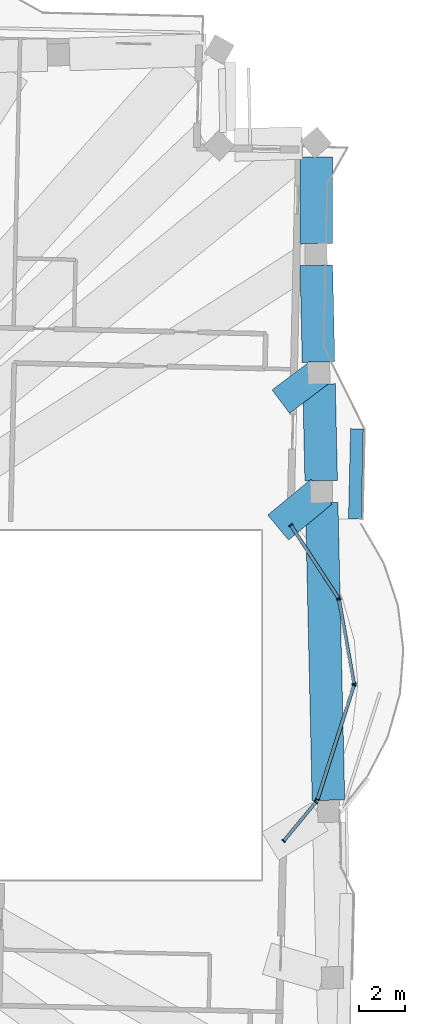
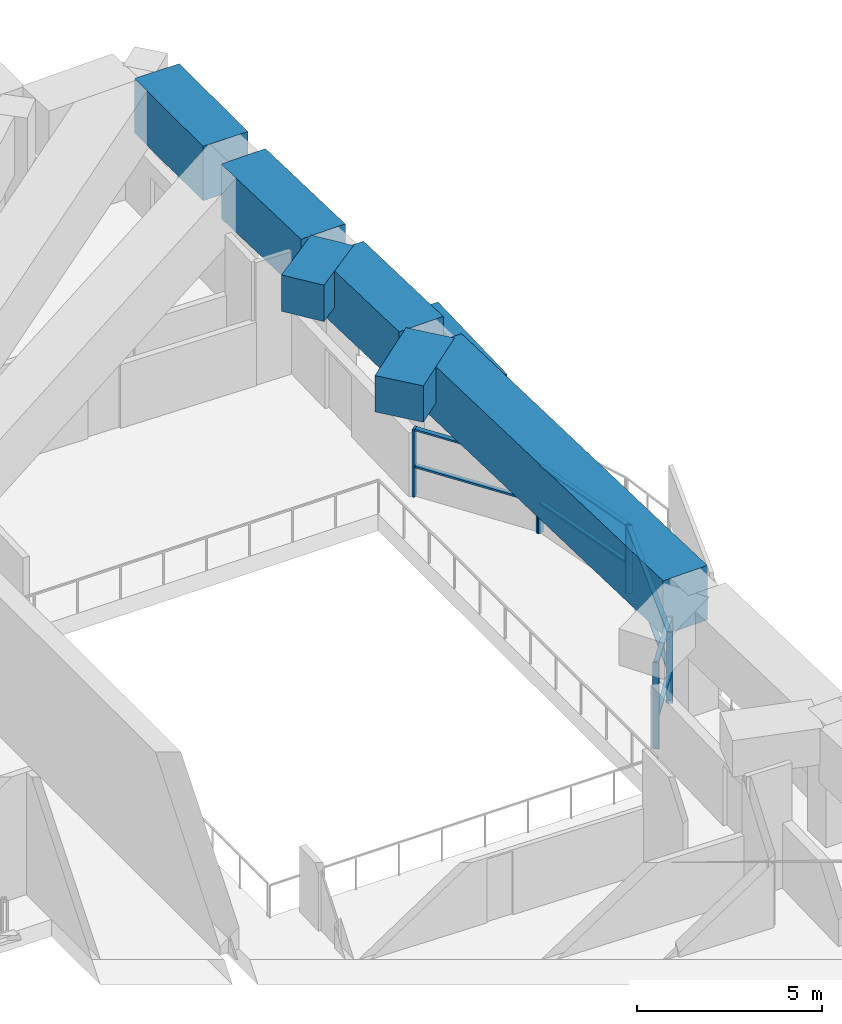
# One storey, part 6 of 20: 17 members, 6 beams, 4 elements without a shape of their own.
"""IFC4 building model written with IfcOpenShell, lengths in metres."""

from ifc_helpers import new_model, si_unit, direction, frame, origin, origin_2d, place, context, subcontext, project, spatial, rectangle, extrude, material, material_profile, profile_set, type_object, element, aggregate, save


model = new_model("IFC4")

# Units and contexts
model_context = context("Model", 3, precision=1e-05, world=origin(), true_north=direction((0.0, 1.0)))
body_context = subcontext(model_context, "Body", "Model", "MODEL_VIEW")
ifc_project = project(units=[si_unit("LENGTHUNIT", "METRE"), si_unit("AREAUNIT", "SQUARE_METRE"), si_unit("VOLUMEUNIT", "CUBIC_METRE"), si_unit("PLANEANGLEUNIT", "RADIAN"), si_unit("MASSUNIT", "GRAM", prefix="KILO")], contexts=[model_context])

# Site, building, storey
site_placement = place(None, origin())
site = spatial("IfcSite", under=ifc_project, at=site_placement, CompositionType="ELEMENT")
building_placement = place(site_placement, origin())
building = spatial("IfcBuilding", under=site, at=building_placement, Name="Mangrove Gate Tower", CompositionType="ELEMENT")
storey_placement = place(building_placement, frame((0.0, 0.0, 301.5)))
storey = spatial("IfcBuildingStorey", under=building, at=storey_placement, Name="L77", CompositionType="ELEMENT", Elevation=301.5)

# Member
ifc_material_1 = material(Name="Planting on aluminium trellis", Category="aluminium")
ifc_material_profile_1 = material_profile(ifc_material_1, rectangle(XDim=0.550048828125, YDim=2.0, at=origin_2d()))
ifc_profile_set_1 = profile_set([ifc_material_profile_1], Name="Planting on aluminium trellis")
member_type_1 = type_object("IfcMemberType", Name="Balcony greenery screen 550x2000", PredefinedType="USERDEFINED", material=ifc_profile_set_1)
member_1_placement = place(storey_placement, frame((31.968017578125, 8.014892578125, 1.800048828125), z_axis=(0.022681332769, 0.999742745482, 0.0), x_axis=(-0.999742745482, 0.022681332769, 0.0)))
element("IfcMember", 1, at=member_1_placement, inside=storey, type_object=member_type_1, Name="GREEN SCREEN L77 E1.1", ObjectType="PLANTING", PredefinedType="USERDEFINED", context=body_context, shape_type="SweptSolid", body=[
    extrude(rectangle(XDim=0.550048828125, YDim=2.0, at=origin_2d()), origin(), (0.0, 0.0, 1.0), 3.875),
])

# Curtain wall, members
ifc_material_2 = material(Name="Aluminium and glass curtain wall", Category="aluminium")
curtain_wall_type = type_object("IfcCurtainWallType", Name="Sky-lounge glazing wall", PredefinedType="NOTDEFINED", material=ifc_material_2)
curtain_wall_1_placement = place(storey_placement, origin())
curtain_wall_1 = element("IfcCurtainWall", 2, at=curtain_wall_1_placement, inside=storey, type_object=curtain_wall_type, Name="Sky-lounge glazing E1p1f1", PredefinedType="NOTDEFINED")
ifc_material_3 = material(Name="Aluminium alloy 6063-T6", Category="aluminium")
ifc_material_profile_2 = material_profile(ifc_material_3, rectangle(XDim=0.06005859375, YDim=0.179931640625, at=origin_2d()))
ifc_profile_set_2 = profile_set([ifc_material_profile_2], Name="Aluminium alloy 6063-T6")
member_type_2 = type_object("IfcMemberType", Name="Sky-lounge glazing mullion 60x180", PredefinedType="MULLION", material=ifc_profile_set_2)
member_2_placement = place(storey_placement, frame((28.90625, -5.8408203125, 0.0), z_axis=(0.0, 0.0, 1.0), x_axis=(0.638116272585, 0.769940012379, 0.0)))
member_2 = element("IfcMember", 3, at=member_2_placement, type_object=member_type_2, Name="CWK mullion 1", PredefinedType="MULLION", context=body_context, shape_type="SweptSolid", body=[
    extrude(rectangle(XDim=0.06005859375, YDim=0.179931640625, at=origin_2d()), origin(), (0.0, 0.0, 1.0), 2.85009765625),
])
member_3_placement = place(storey_placement, frame((30.2958984375, -4.1640625, 0.0), z_axis=(0.0, 0.0, 1.0), x_axis=(0.638116272585, 0.769940012379, 0.0)))
member_3 = element("IfcMember", 4, at=member_3_placement, type_object=member_type_2, Name="CWK mullion 2", PredefinedType="MULLION", context=body_context, shape_type="SweptSolid", body=[
    extrude(rectangle(XDim=0.06005859375, YDim=0.179931640625, at=origin_2d()), origin(), (0.0, 0.0, 1.0), 2.85009765625),
])

curtain_wall_2_placement = place(storey_placement, origin())
curtain_wall_2 = element("IfcCurtainWall", 5, at=curtain_wall_2_placement, inside=storey, type_object=curtain_wall_type, Name="Sky-lounge glazing E1p2f1", PredefinedType="NOTDEFINED")
member_4_placement = place(storey_placement, frame((30.36279296875, -4.061279296875, 0.0), z_axis=(0.0, 0.0, 1.0), x_axis=(0.303696895532, 0.952768699971, 0.0)))
member_4 = element("IfcMember", 6, at=member_4_placement, type_object=member_type_2, Name="CWK mullion 1", PredefinedType="MULLION", context=body_context, shape_type="SweptSolid", body=[
    extrude(rectangle(XDim=0.06005859375, YDim=0.179931640625, at=origin_2d()), origin(), (0.0, 0.0, 1.0), 2.25),
])
member_5_placement = place(storey_placement, frame((31.931396484375, 0.8603515625, 0.0), z_axis=(0.0, 0.0, 1.0), x_axis=(0.303696895532, 0.952768699971, 0.0)))
member_5 = element("IfcMember", 7, at=member_5_placement, type_object=member_type_2, Name="CWK mullion 2", PredefinedType="MULLION", context=body_context, shape_type="SweptSolid", body=[
    extrude(rectangle(XDim=0.06005859375, YDim=0.179931640625, at=origin_2d()), origin(), (0.0, 0.0, 1.0), 2.25),
])

curtain_wall_3_placement = place(storey_placement, origin())
curtain_wall_3 = element("IfcCurtainWall", 8, at=curtain_wall_3_placement, inside=storey, type_object=curtain_wall_type, Name="Sky-lounge glazing E1p2f2", PredefinedType="NOTDEFINED")
member_6_placement = place(storey_placement, frame((31.935302734375, 0.91845703125, 0.0), z_axis=(0.0, 0.0, 1.0), x_axis=(-0.175967679865, 0.984395944548, 0.0)))
member_6 = element("IfcMember", 9, at=member_6_placement, type_object=member_type_2, Name="CWK mullion 1", PredefinedType="MULLION", context=body_context, shape_type="SweptSolid", body=[
    extrude(rectangle(XDim=0.06005859375, YDim=0.179931640625, at=origin_2d()), origin(), (0.0, 0.0, 1.0), 2.25),
])
member_7_placement = place(storey_placement, frame((31.28662109375, 4.547607421875, 0.0), z_axis=(0.0, 0.0, 1.0), x_axis=(-0.175967679865, 0.984395944548, 0.0)))
member_7 = element("IfcMember", 10, at=member_7_placement, type_object=member_type_2, Name="CWK mullion 2", PredefinedType="MULLION", context=body_context, shape_type="SweptSolid", body=[
    extrude(rectangle(XDim=0.06005859375, YDim=0.179931640625, at=origin_2d()), origin(), (0.0, 0.0, 1.0), 2.25),
])

curtain_wall_4_placement = place(storey_placement, origin())
curtain_wall_4 = element("IfcCurtainWall", 11, at=curtain_wall_4_placement, inside=storey, type_object=curtain_wall_type, Name="Sky-lounge glazing E1p2f3", PredefinedType="NOTDEFINED")
member_8_placement = place(storey_placement, frame((31.264892578125, 4.602294921875, 0.0), z_axis=(0.0, 0.0, 1.0), x_axis=(-0.546235085162, 0.837631919006, 0.0)))
member_8 = element("IfcMember", 12, at=member_8_placement, type_object=member_type_2, Name="CWK mullion 1", PredefinedType="MULLION", context=body_context, shape_type="SweptSolid", body=[
    extrude(rectangle(XDim=0.06005859375, YDim=0.179931640625, at=origin_2d()), origin(), (0.0, 0.0, 1.0), 2.25),
])
member_9_placement = place(storey_placement, frame((29.213134765625, 7.74853515625, 0.0), z_axis=(0.0, 0.0, 1.0), x_axis=(-0.546235085162, 0.837631919006, 0.0)))
member_9 = element("IfcMember", 13, at=member_9_placement, type_object=member_type_2, Name="CWK mullion 2", PredefinedType="MULLION", context=body_context, shape_type="SweptSolid", body=[
    extrude(rectangle(XDim=0.06005859375, YDim=0.179931640625, at=origin_2d()), origin(), (0.0, 0.0, 1.0), 2.25),
])

# Member
ifc_material_4 = material(Name="Aluminium alloy 6063-T6", Category="aluminium")
ifc_material_profile_3 = material_profile(ifc_material_4, rectangle(XDim=0.06005859375, YDim=0.139892578125, at=origin_2d()))
ifc_profile_set_3 = profile_set([ifc_material_profile_3], Name="Aluminium alloy 6063-T6")
member_type_3 = type_object("IfcMemberType", Name="Sky-lounge glazing transom 60x140", PredefinedType="USERDEFINED", material=ifc_profile_set_3)
member_10_placement = place(storey_placement, frame((28.92529296875, -5.81787109375, 1.0), z_axis=(0.63808426375, 0.769966539763, 0.0), x_axis=(0.0, 0.0, 1.0)))
member_10 = element("IfcMember", 14, at=member_10_placement, type_object=member_type_3, Name="CWK transom 1.2", ObjectType="TRANSOM", PredefinedType="USERDEFINED", context=body_context, shape_type="SweptSolid", body=[
    extrude(rectangle(XDim=0.06005859375, YDim=0.139892578125, at=origin_2d()), origin(), (0.0, 0.0, 1.0), 2.11767578125),
])

member_11_placement = place(storey_placement, frame((28.92529296875, -5.81787109375, 2.820068359375), z_axis=(0.63808426375, 0.769966539763, 0.0), x_axis=(0.0, 0.0, 1.0)))
member_11 = element("IfcMember", 15, at=member_11_placement, type_object=member_type_3, Name="CWK transom 1.3", ObjectType="TRANSOM", PredefinedType="USERDEFINED", context=body_context, shape_type="SweptSolid", body=[
    extrude(rectangle(XDim=0.06005859375, YDim=0.139892578125, at=origin_2d()), origin(), (0.0, 0.0, 1.0), 2.11767578125),
])

aggregate(curtain_wall_1, [member_2, member_3, member_10, member_11])

member_12_placement = place(storey_placement, frame((30.371826171875, -4.03271484375, 1.0), z_axis=(0.303691126348, 0.95277053889, 0.0), x_axis=(0.0, 0.0, 1.0)))
member_12 = element("IfcMember", 16, at=member_12_placement, type_object=member_type_3, Name="CWK transom 1.2", ObjectType="TRANSOM", PredefinedType="USERDEFINED", context=body_context, shape_type="SweptSolid", body=[
    extrude(rectangle(XDim=0.06005859375, YDim=0.139892578125, at=origin_2d()), origin(), (0.0, 0.0, 1.0), 5.105712890625),
])

member_13_placement = place(storey_placement, frame((30.371826171875, -4.03271484375, 2.219970703125), z_axis=(0.303691126348, 0.95277053889, 0.0), x_axis=(0.0, 0.0, 1.0)))
member_13 = element("IfcMember", 17, at=member_13_placement, type_object=member_type_3, Name="CWK transom 1.3", ObjectType="TRANSOM", PredefinedType="USERDEFINED", context=body_context, shape_type="SweptSolid", body=[
    extrude(rectangle(XDim=0.06005859375, YDim=0.139892578125, at=origin_2d()), origin(), (0.0, 0.0, 1.0), 5.105712890625),
])

aggregate(curtain_wall_2, [member_4, member_5, member_12, member_13])

member_14_placement = place(storey_placement, frame((31.93017578125, 0.947998046875, 1.0), z_axis=(-0.176035272686, 0.984383859462, 0.0), x_axis=(0.0, 0.0, 1.0)))
member_14 = element("IfcMember", 18, at=member_14_placement, type_object=member_type_3, Name="CWK transom 1.2", ObjectType="TRANSOM", PredefinedType="USERDEFINED", context=body_context, shape_type="SweptSolid", body=[
    extrude(rectangle(XDim=0.06005859375, YDim=0.139892578125, at=origin_2d()), origin(), (0.0, 0.0, 1.0), 3.626708984375),
])

member_15_placement = place(storey_placement, frame((31.93017578125, 0.947998046875, 2.219970703125), z_axis=(-0.176035272686, 0.984383859462, 0.0), x_axis=(0.0, 0.0, 1.0)))
member_15 = element("IfcMember", 19, at=member_15_placement, type_object=member_type_3, Name="CWK transom 1.3", ObjectType="TRANSOM", PredefinedType="USERDEFINED", context=body_context, shape_type="SweptSolid", body=[
    extrude(rectangle(XDim=0.06005859375, YDim=0.139892578125, at=origin_2d()), origin(), (0.0, 0.0, 1.0), 3.626708984375),
])

aggregate(curtain_wall_3, [member_6, member_7, member_14, member_15])

member_16_placement = place(storey_placement, frame((31.24853515625, 4.62744140625, 1.0), z_axis=(-0.546211360714, 0.837647389674, 0.0), x_axis=(0.0, 0.0, 1.0)))
member_16 = element("IfcMember", 20, at=member_16_placement, type_object=member_type_3, Name="CWK transom 1.2", ObjectType="TRANSOM", PredefinedType="USERDEFINED", context=body_context, shape_type="SweptSolid", body=[
    extrude(rectangle(XDim=0.06005859375, YDim=0.139892578125, at=origin_2d()), origin(), (0.0, 0.0, 1.0), 3.696044921875),
])

member_17_placement = place(storey_placement, frame((31.24853515625, 4.62744140625, 2.219970703125), z_axis=(-0.546211360714, 0.837647389674, 0.0), x_axis=(0.0, 0.0, 1.0)))
member_17 = element("IfcMember", 21, at=member_17_placement, type_object=member_type_3, Name="CWK transom 1.3", ObjectType="TRANSOM", PredefinedType="USERDEFINED", context=body_context, shape_type="SweptSolid", body=[
    extrude(rectangle(XDim=0.06005859375, YDim=0.139892578125, at=origin_2d()), origin(), (0.0, 0.0, 1.0), 3.696044921875),
])

aggregate(curtain_wall_4, [member_8, member_9, member_16, member_17])

# Beams
ifc_material_5 = material(Name="Concrete C50/60", Category="concrete")
ifc_material_profile_4 = material_profile(ifc_material_5, rectangle(XDim=1.25, YDim=1.199951171875, at=origin_2d()))
ifc_profile_set_4 = profile_set([ifc_material_profile_4], Name="Concrete C50/60")
beam_type_1 = type_object("IfcBeamType", Name="Transfer girder RC 1250x1200 C50/60", PredefinedType="BEAM", material=ifc_profile_set_4)
beam_1_placement = place(storey_placement, frame((30.4140625, 14.290283203125, 3.449951171875), z_axis=(-0.799038264503, -0.601280177505, 0.0), x_axis=(0.601280177505, -0.799038264503, 0.0)))
element("IfcBeam", 22, at=beam_1_placement, inside=storey, type_object=beam_type_1, Name="Transfer edge girder L77 19", PredefinedType="BEAM", context=body_context, shape_type="SweptSolid", body=[
    extrude(rectangle(XDim=1.25, YDim=1.199951171875, at=origin_2d()), origin(), (0.0, 0.0, 1.0), 2.043212890625),
])
ifc_material_6 = material(Name="Concrete C50/60", Category="concrete")
ifc_material_profile_5 = material_profile(ifc_material_6, rectangle(XDim=1.39990234375, YDim=1.199951171875, at=origin_2d()))
ifc_profile_set_5 = profile_set([ifc_material_profile_5], Name="Concrete C50/60")
beam_type_2 = type_object("IfcBeamType", Name="Transfer girder RC 1400x1200 C50/60", PredefinedType="BEAM", material=ifc_profile_set_5)
beam_2_placement = place(storey_placement, frame((30.529052734375, 9.183349609375, 3.449951171875), z_axis=(-0.770741656887, -0.637147783751, 0.0), x_axis=(0.637147783751, -0.770741656887, 0.0)))
element("IfcBeam", 23, at=beam_2_placement, inside=storey, type_object=beam_type_2, Name="Transfer edge girder L77 18", PredefinedType="BEAM", context=body_context, shape_type="SweptSolid", body=[
    extrude(rectangle(XDim=1.39990234375, YDim=1.199951171875, at=origin_2d()), origin(), (0.0, 0.0, 1.0), 2.416015625),
])
ifc_material_7 = material(Name="Concrete C50/60", Category="concrete")
ifc_material_profile_6 = material_profile(ifc_material_7, rectangle(XDim=1.39990234375, YDim=1.800048828125, at=origin_2d()))
ifc_profile_set_6 = profile_set([ifc_material_profile_6], Name="Concrete C50/60")
beam_type_3 = type_object("IfcBeamType", Name="Transfer girder RC 1400x1800 C50/60", PredefinedType="BEAM", material=ifc_profile_set_6)
beam_3_placement = place(storey_placement, frame((30.830322265625, -4.0888671875, 3.14990234375), z_axis=(-0.022696710072, 0.999742396496, 0.0), x_axis=(-0.999742396496, -0.022696710072, 0.0)))
element("IfcBeam", 24, at=beam_3_placement, inside=storey, type_object=beam_type_3, Name="Transfer ring girder L77 16", PredefinedType="BEAM", context=body_context, shape_type="SweptSolid", body=[
    extrude(rectangle(XDim=1.39990234375, YDim=1.800048828125, at=origin_2d()), origin(), (0.0, 0.0, 1.0), 12.800537109375),
])
for number, where, z_axis, x_axis, name in (
    (25, (30.518310546875, 9.658203125, 3.14990234375), (-0.022486678156, 0.999747142684, 0.0), (-0.999747142684, -0.022486678156, 0.0), "Transfer ring girder L77 17"),
    (26, (30.4033203125, 14.76513671875, 3.14990234375), (-0.022721405353, 0.999741835545, 0.0), (-0.999741835545, -0.022721405353, 0.0), "Transfer ring girder L77 18"),
):
    element("IfcBeam", number, at=place(storey_placement, frame(where, z_axis=z_axis, x_axis=x_axis)), inside=storey, type_object=beam_type_3, Name=name, PredefinedType="BEAM", context=body_context, shape_type="SweptSolid", body=[
        extrude(rectangle(XDim=1.39990234375, YDim=1.800048828125, at=origin_2d()), origin(), (0.0, 0.0, 1.0), 4.158203125),
    ])
beam_4_placement = place(storey_placement, frame((30.298095703125, 19.872314453125, 3.14990234375), z_axis=(-0.000263504602, 0.999999965283, 0.0), x_axis=(-0.999999965283, -0.000263504602, 0.0)))
element("IfcBeam", 27, at=beam_4_placement, inside=storey, type_object=beam_type_3, Name="Transfer ring girder L77 19", PredefinedType="BEAM", context=body_context, shape_type="SweptSolid", body=[
    extrude(rectangle(XDim=1.39990234375, YDim=1.800048828125, at=origin_2d()), origin(), (0.0, 0.0, 1.0), 3.7060546875),
])

save(model, "model.ifc")
